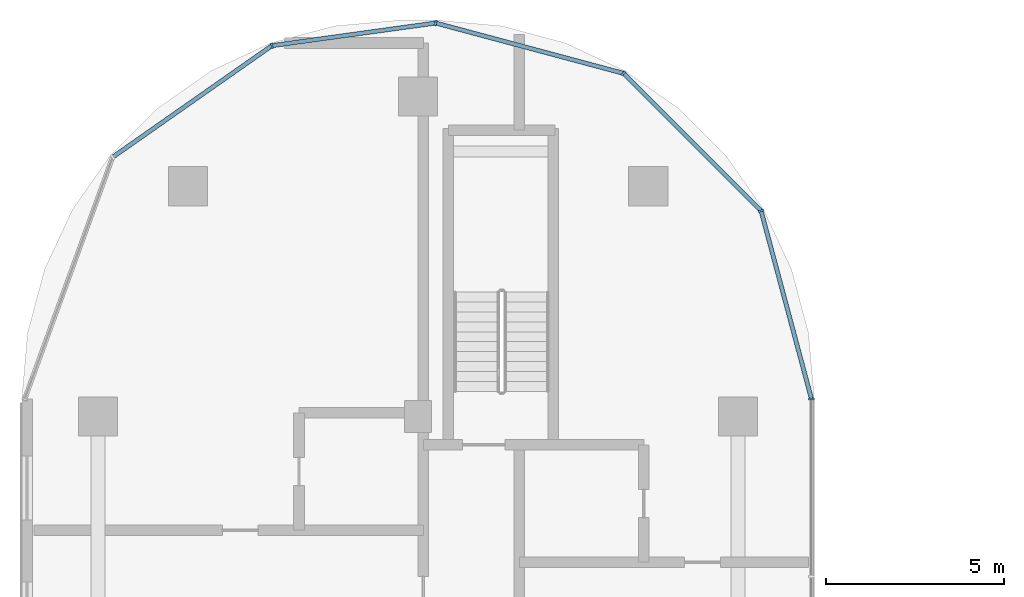
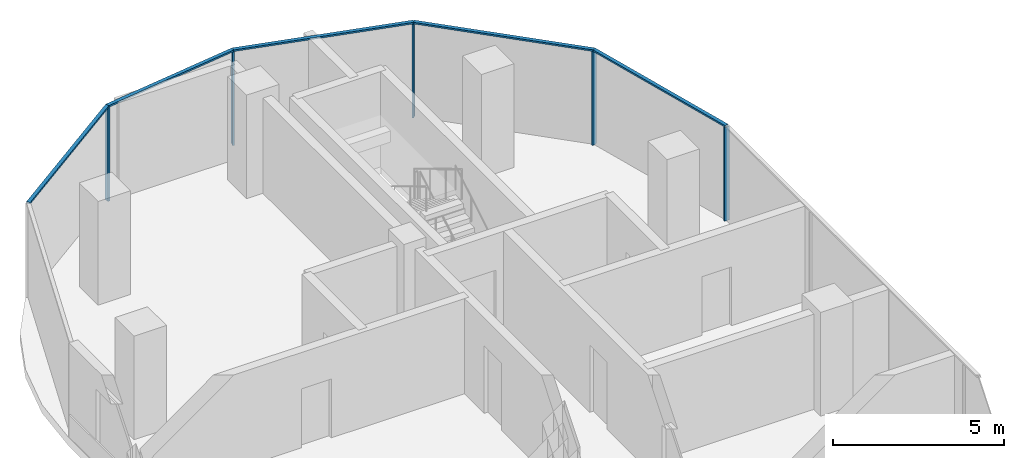
# One storey, part 7 of 23: 10 members, 2 elements without a shape of their own.
"""IFC4 building model written with IfcOpenShell, lengths in metres."""

from ifc_helpers import new_model, si_unit, direction, frame, origin, origin_2d, place, context, subcontext, project, spatial, rectangle, extrude, material, material_profile, profile_set, type_object, element, aggregate, save


model = new_model("IFC4")

# Units and contexts
model_context = context("Model", 3, precision=1e-05, world=origin(), true_north=direction((0.0, 1.0)))
body_context = subcontext(model_context, "Body", "Model", "MODEL_VIEW")
ifc_project = project(units=[si_unit("LENGTHUNIT", "METRE"), si_unit("AREAUNIT", "SQUARE_METRE"), si_unit("VOLUMEUNIT", "CUBIC_METRE"), si_unit("PLANEANGLEUNIT", "RADIAN"), si_unit("MASSUNIT", "GRAM", prefix="KILO")], contexts=[model_context])

# Site, building, storey
site_placement = place(None, origin())
site = spatial("IfcSite", under=ifc_project, at=site_placement, CompositionType="ELEMENT")
building_placement = place(site_placement, origin())
building = spatial("IfcBuilding", under=site, at=building_placement, Name="Ogive Portal Towers", CompositionType="ELEMENT")
storey_placement = place(building_placement, frame((0.0, 0.0, 175.5)))
storey = spatial("IfcBuildingStorey", under=building, at=storey_placement, Name="L43", CompositionType="ELEMENT", Elevation=175.5)

# Curtain wall, member
ifc_material_1 = material(Name="Glass, clear low-iron insulated glazing", Category="glass")
curtain_wall_type = type_object("IfcCurtainWallType", Name="CW FRONT RIBBON 4500", PredefinedType="NOTDEFINED", material=ifc_material_1)
curtain_wall_1_placement = place(storey_placement, origin())
curtain_wall_1 = element("IfcCurtainWall", 1, at=curtain_wall_1_placement, inside=storey, type_object=curtain_wall_type, Name="A:L43:f15:cw0", PredefinedType="NOTDEFINED")
ifc_material_2 = material(Name="Aluminium 6063 anodised", Category="aluminium")
ifc_material_profile_1 = material_profile(ifc_material_2, rectangle(XDim=0.159912109375, YDim=0.06005859375, at=origin_2d()), Name="AL 60x160")
ifc_profile_set_1 = profile_set([ifc_material_profile_1], Name="Aluminium 6063 anodised")
member_type_1 = type_object("IfcMemberType", Name="CW MULLION 60x160", PredefinedType="MULLION", material=ifc_profile_set_1)
member_1_placement = place(storey_placement, frame((51.56494140625, 66.989501953125, 0.0), z_axis=(0.0, 0.0, 1.0), x_axis=(-1.0, 0.0, 0.0)))
member_1 = element("IfcMember", 2, at=member_1_placement, type_object=member_type_1, Name="mullion", PredefinedType="MULLION", context=body_context, shape_type="SweptSolid", body=[
    extrude(rectangle(XDim=0.159912109375, YDim=0.06005859375, at=origin_2d()), origin(), (0.0, 0.0, 1.0), 3.340087890625),
])
aggregate(curtain_wall_1, [member_1])

# Curtain wall, members
curtain_wall_2_placement = place(storey_placement, origin())
curtain_wall_2 = element("IfcCurtainWall", 3, at=curtain_wall_2_placement, inside=storey, type_object=curtain_wall_type, Name="A:L43:f16:cwa", PredefinedType="NOTDEFINED")
member_2_placement = place(storey_placement, frame((50.147216796875, 72.281005859375, 0.0), z_axis=(0.0, 0.0, 1.0), x_axis=(-0.965925826289, -0.258819045103, 0.0)))
member_2 = element("IfcMember", 4, at=member_2_placement, type_object=member_type_1, Name="mullion", PredefinedType="MULLION", context=body_context, shape_type="SweptSolid", body=[
    extrude(rectangle(XDim=0.159912109375, YDim=0.06005859375, at=origin_2d()), origin(), (0.0, 0.0, 1.0), 3.340087890625),
])
member_3_placement = place(storey_placement, frame((46.281005859375, 76.147216796875, 0.0), z_axis=(0.0, 0.0, 1.0), x_axis=(-0.707106781187, -0.707106781187, 0.0)))
member_3 = element("IfcMember", 5, at=member_3_placement, type_object=member_type_1, Name="mullion", PredefinedType="MULLION", context=body_context, shape_type="SweptSolid", body=[
    extrude(rectangle(XDim=0.159912109375, YDim=0.06005859375, at=origin_2d()), origin(), (0.0, 0.0, 1.0), 3.340087890625),
])
member_4_placement = place(storey_placement, frame((40.994873046875, 77.5634765625, 0.0), z_axis=(0.0, 0.0, 1.0), x_axis=(-0.258819045103, -0.965925826289, 0.0)))
member_4 = element("IfcMember", 6, at=member_4_placement, type_object=member_type_1, Name="mullion", PredefinedType="MULLION", context=body_context, shape_type="SweptSolid", body=[
    extrude(rectangle(XDim=0.159912109375, YDim=0.06005859375, at=origin_2d()), origin(), (0.0, 0.0, 1.0), 3.340087890625),
])
member_5_placement = place(storey_placement, frame((36.38916015625, 76.926513671875, 0.0), z_axis=(0.0, 0.0, 1.0), x_axis=(0.137027216118, -0.990567282946, 0.0)))
member_5 = element("IfcMember", 7, at=member_5_placement, type_object=member_type_1, Name="mullion", PredefinedType="MULLION", context=body_context, shape_type="SweptSolid", body=[
    extrude(rectangle(XDim=0.159912109375, YDim=0.06005859375, at=origin_2d()), origin(), (0.0, 0.0, 1.0), 3.340087890625),
])
ifc_material_profile_2 = material_profile(ifc_material_2, rectangle(XDim=0.1201171875, YDim=0.06005859375, at=origin_2d()), Name="AL 120x60")
ifc_profile_set_2 = profile_set([ifc_material_profile_2], Name="Aluminium 6063 anodised")
member_type_2 = type_object("IfcMemberType", Name="CW TRANSOM 60x120", PredefinedType="USERDEFINED", material=ifc_profile_set_2)
member_6_placement = place(storey_placement, frame((51.56494140625, 66.989501953125, 3.3701171875), z_axis=(-0.258796973975, 0.965931739959, 0.0), x_axis=(-0.965931739959, -0.258796973975, 0.0)))
member_6 = element("IfcMember", 8, at=member_6_placement, type_object=member_type_2, Name="transom", ObjectType="TRANSOM", PredefinedType="USERDEFINED", context=body_context, shape_type="SweptSolid", body=[
    extrude(rectangle(XDim=0.1201171875, YDim=0.06005859375, at=origin_2d()), origin(), (0.0, 0.0, 1.0), 5.47802734375),
])
member_7_placement = place(storey_placement, frame((50.147216796875, 72.281005859375, 3.3701171875), z_axis=(-0.707106781187, 0.707106781187, 0.0), x_axis=(-0.707106781187, -0.707106781187, 0.0)))
member_7 = element("IfcMember", 9, at=member_7_placement, type_object=member_type_2, Name="transom", ObjectType="TRANSOM", PredefinedType="USERDEFINED", context=body_context, shape_type="SweptSolid", body=[
    extrude(rectangle(XDim=0.1201171875, YDim=0.06005859375, at=origin_2d()), origin(), (0.0, 0.0, 1.0), 5.467529296875),
])
member_8_placement = place(storey_placement, frame((46.281005859375, 76.147216796875, 3.3701171875), z_axis=(-0.965932918236, 0.258792576145, 0.0), x_axis=(-0.258792576145, -0.965932918236, 0.0)))
member_8 = element("IfcMember", 10, at=member_8_placement, type_object=member_type_2, Name="transom", ObjectType="TRANSOM", PredefinedType="USERDEFINED", context=body_context, shape_type="SweptSolid", body=[
    extrude(rectangle(XDim=0.1201171875, YDim=0.06005859375, at=origin_2d()), origin(), (0.0, 0.0, 1.0), 5.47265625),
])
member_9_placement = place(storey_placement, frame((40.994873046875, 77.5634765625, 3.3701171875), z_axis=(-0.990571803733, -0.136994531457, 0.0), x_axis=(0.136994531457, -0.990571803733, 0.0)))
member_9 = element("IfcMember", 11, at=member_9_placement, type_object=member_type_2, Name="transom", ObjectType="TRANSOM", PredefinedType="USERDEFINED", context=body_context, shape_type="SweptSolid", body=[
    extrude(rectangle(XDim=0.1201171875, YDim=0.06005859375, at=origin_2d()), origin(), (0.0, 0.0, 1.0), 4.649658203125),
])
member_10_placement = place(storey_placement, frame((36.38916015625, 76.926513671875, 3.3701171875), z_axis=(-0.819139574042, -0.573594245298, 0.0), x_axis=(0.573594245298, -0.819139574042, 0.0)))
member_10 = element("IfcMember", 12, at=member_10_placement, type_object=member_type_2, Name="transom", ObjectType="TRANSOM", PredefinedType="USERDEFINED", context=body_context, shape_type="SweptSolid", body=[
    extrude(rectangle(XDim=0.1201171875, YDim=0.06005859375, at=origin_2d()), origin(), (0.0, 0.0, 1.0), 5.465576171875),
])
aggregate(curtain_wall_2, [member_6, member_7, member_8, member_9, member_10, member_2, member_3, member_4, member_5])

save(model, "model.ifc")
